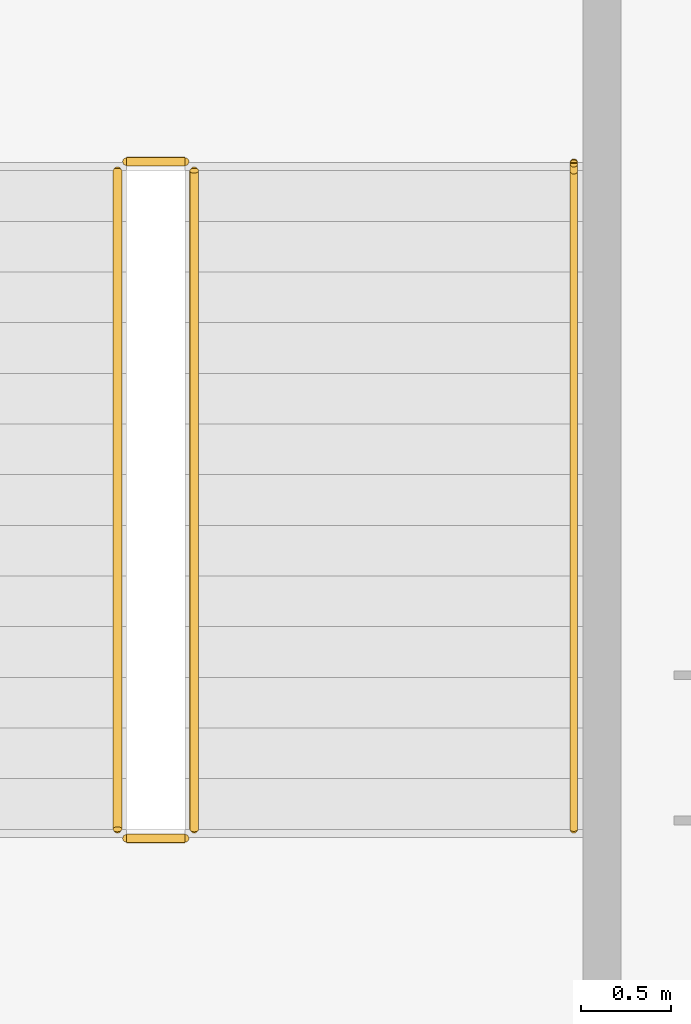
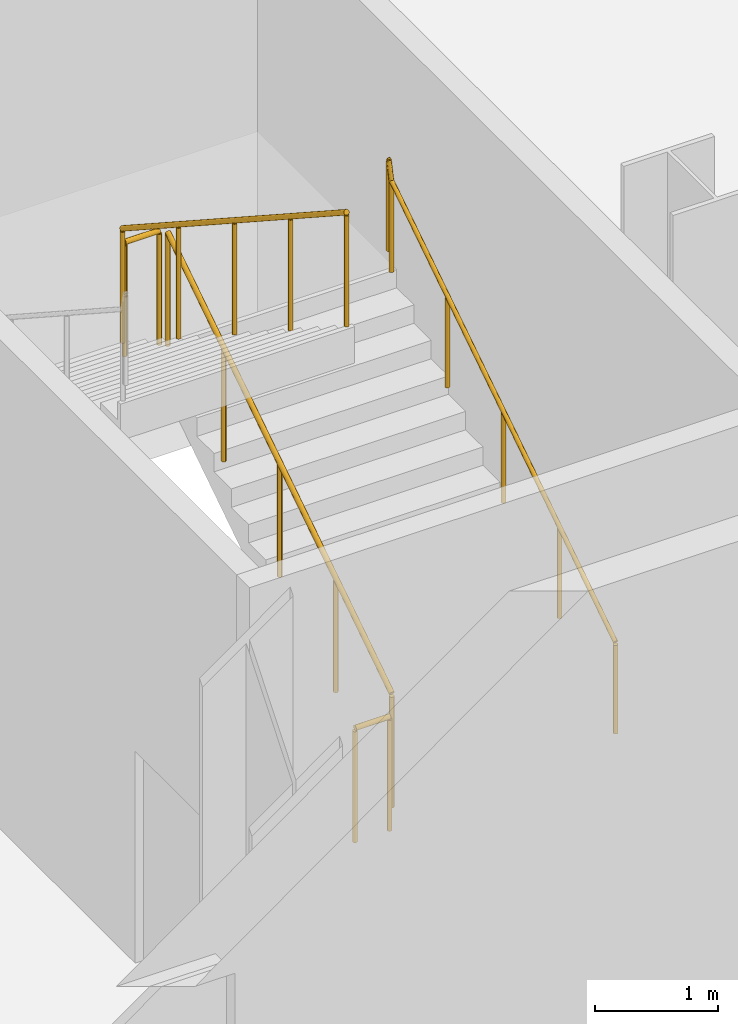
# One storey, part 19 of 21: 5 railings.
"""IFC4 building model written with IfcOpenShell, lengths in metres."""

from ifc_helpers import new_model, si_unit, direction, frame, origin, origin_2d, place, context, subcontext, project, spatial, circle, extrude, material, type_object, element, save


model = new_model("IFC4")

# Units and contexts
model_context = context("Model", 3, precision=1e-05, world=origin(), true_north=direction((0.0, 1.0)))
body_context = subcontext(model_context, "Body", "Model", "MODEL_VIEW")
ifc_project = project(units=[si_unit("LENGTHUNIT", "METRE"), si_unit("AREAUNIT", "SQUARE_METRE"), si_unit("VOLUMEUNIT", "CUBIC_METRE"), si_unit("PLANEANGLEUNIT", "RADIAN"), si_unit("MASSUNIT", "GRAM", prefix="KILO")], contexts=[model_context])

# Site, building, storey
site_placement = place(None, origin())
site = spatial("IfcSite", under=ifc_project, at=site_placement, CompositionType="ELEMENT")
building_placement = place(site_placement, origin())
building = spatial("IfcBuilding", under=site, at=building_placement, Name="Velakula Bourse", CompositionType="ELEMENT")
storey_placement = place(building_placement, origin())
storey = spatial("IfcBuildingStorey", under=building, at=storey_placement, Name="L00", CompositionType="ELEMENT", Elevation=0.0)

# Railings
ifc_material = material(Name="Brushed grade 316 stainless steel", Category="steel")
railing_type_1 = type_object("IfcRailingType", Name="RLG-STAIR-GUARD-1150", PredefinedType="BALUSTRADE", material=ifc_material)
railing_1_placement = place(storey_placement, frame((25.77197265625, -22.10009765625, 0.18212890625)))
element("IfcRailing", 1, at=railing_1_placement, inside=storey, type_object=railing_type_1, Name="L00 ST-P2 stair guard 1", PredefinedType="BALUSTRADE", context=body_context, shape_type="SweptSolid", body=[
    extrude(circle(Radius=0.02490234375, at=origin_2d()), frame((0.0, 0.0, 1.125), z_axis=(0.0, 0.83825089185, 0.545284735081), x_axis=(-1.0, 0.0, 0.0)), (0.0, 0.0, 1.0), 4.342529296875),
    extrude(circle(Radius=0.02099609375, at=origin_2d()), origin(), (0.0, 0.0, 1.0), 1.099853515625),
    extrude(circle(Radius=0.02099609375, at=origin_2d()), frame((0.0, 0.91015625, 0.592041015625)), (0.0, 0.0, 1.0), 1.099853515625),
    extrude(circle(Radius=0.02099609375, at=origin_2d()), frame((0.0, 1.820068359375, 1.18408203125)), (0.0, 0.0, 1.0), 1.099853515625),
    extrude(circle(Radius=0.02099609375, at=origin_2d()), frame((0.0, 2.72998046875, 1.77587890625)), (0.0, 0.0, 1.0), 1.099853515625),
    extrude(circle(Radius=0.02099609375, at=origin_2d()), frame((0.0, 3.64013671875, 2.367919921875)), (0.0, 0.0, 1.0), 1.099853515625),
])
railing_2_placement = place(storey_placement, frame((25.721923828125, -18.409912109375, 2.550048828125)))
element("IfcRailing", 2, at=railing_2_placement, inside=storey, type_object=railing_type_1, Name="L00 ST-P2 stair guard 2", PredefinedType="BALUSTRADE", context=body_context, shape_type="SweptSolid", body=[
    extrude(circle(Radius=0.02490234375, at=origin_2d()), frame((0.0, 0.0, 1.125), z_axis=(-1.0, 0.0, 0.0), x_axis=(0.0, -1.0, 0.0)), (0.0, 0.0, 1.0), 0.323974609375),
    extrude(circle(Radius=0.02099609375, at=origin_2d()), origin(), (0.0, 0.0, 1.0), 1.099853515625),
    extrude(circle(Radius=0.02099609375, at=origin_2d()), frame((-0.323974609375, 0.0, 0.0)), (0.0, 0.0, 1.0), 1.099853515625),
])
railing_3_placement = place(storey_placement, frame((25.347900390625, -18.4599609375, 2.732177734375)))
element("IfcRailing", 3, at=railing_3_placement, inside=storey, type_object=railing_type_1, Name="L00 ST-P2 stair guard 3", PredefinedType="BALUSTRADE", context=body_context, shape_type="SweptSolid", body=[
    extrude(circle(Radius=0.02490234375, at=origin_2d()), frame((0.0, 0.0, 1.125), z_axis=(0.0, -0.83825089185, 0.545284735081), x_axis=(1.0, 0.0, 0.0)), (0.0, 0.0, 1.0), 4.342529296875),
    extrude(circle(Radius=0.02099609375, at=origin_2d()), origin(), (0.0, 0.0, 1.0), 1.099853515625),
    extrude(circle(Radius=0.02099609375, at=origin_2d()), frame((0.0, -0.91015625, 0.592041015625)), (0.0, 0.0, 1.0), 1.099853515625),
    extrude(circle(Radius=0.02099609375, at=origin_2d()), frame((0.0, -1.820068359375, 1.18408203125)), (0.0, 0.0, 1.0), 1.099853515625),
    extrude(circle(Radius=0.02099609375, at=origin_2d()), frame((0.0, -2.72998046875, 1.77587890625)), (0.0, 0.0, 1.0), 1.099853515625),
    extrude(circle(Radius=0.02099609375, at=origin_2d()), frame((0.0, -3.64013671875, 2.367919921875)), (0.0, 0.0, 1.0), 1.099853515625),
])
railing_4_placement = place(storey_placement, frame((25.721923828125, -22.14990234375, 0.0)))
element("IfcRailing", 4, at=railing_4_placement, inside=storey, type_object=railing_type_1, Name="L00 ST-P2 stair guard 4", PredefinedType="BALUSTRADE", context=body_context, shape_type="SweptSolid", body=[
    extrude(circle(Radius=0.02490234375, at=origin_2d()), frame((0.0, 0.0, 1.125), z_axis=(-1.0, 0.0, 0.0), x_axis=(0.0, -1.0, 0.0)), (0.0, 0.0, 1.0), 0.323974609375),
    extrude(circle(Radius=0.02099609375, at=origin_2d()), origin(), (0.0, 0.0, 1.0), 1.099853515625),
    extrude(circle(Radius=0.02099609375, at=origin_2d()), frame((-0.323974609375, 0.0, 0.0)), (0.0, 0.0, 1.0), 1.099853515625),
])
railing_type_2 = type_object("IfcRailingType", Name="RLG-STAIR-HAND-920", PredefinedType="HANDRAIL", material=ifc_material)
railing_5_placement = place(storey_placement, frame((27.8701171875, -22.10009765625, 0.18212890625)))
element("IfcRailing", 5, at=railing_5_placement, inside=storey, type_object=railing_type_2, Name="L00 ST-P2 stair handrail 1", PredefinedType="HANDRAIL", context=body_context, shape_type="SweptSolid", body=[
    extrude(circle(Radius=0.02099609375, at=origin_2d()), frame((0.0, 0.0, 0.89892578125), z_axis=(0.0, 0.83825089185, 0.545284735081), x_axis=(-1.0, 0.0, 0.0)), (0.0, 0.0, 1.0), 4.342529296875),
    extrude(circle(Radius=0.02099609375, at=origin_2d()), frame((0.0, 3.64013671875, 3.266845703125), z_axis=(0.0, 0.214711926762, 0.976677422953), x_axis=(-1.0, 0.0, 0.0)), (0.0, 0.0, 1.0), 0.1865234375),
    extrude(circle(Radius=0.02099609375, at=origin_2d()), frame((0.0, 3.68017578125, 3.448974609375), z_axis=(0.0, 1.0, 0.0), x_axis=(-1.0, 0.0, 0.0)), (0.0, 0.0, 1.0), 0.0048828125),
    extrude(circle(Radius=0.02099609375, at=origin_2d()), origin(), (0.0, 0.0, 1.0), 0.8779296875),
    extrude(circle(Radius=0.02099609375, at=origin_2d()), frame((0.0, 0.91015625, 0.592041015625)), (0.0, 0.0, 1.0), 0.8779296875),
    extrude(circle(Radius=0.02099609375, at=origin_2d()), frame((0.0, 1.820068359375, 1.18408203125)), (0.0, 0.0, 1.0), 0.8779296875),
    extrude(circle(Radius=0.02099609375, at=origin_2d()), frame((0.0, 2.72998046875, 1.77587890625)), (0.0, 0.0, 1.0), 0.8779296875),
    extrude(circle(Radius=0.02099609375, at=origin_2d()), frame((0.0, 3.64013671875, 2.367919921875)), (0.0, 0.0, 1.0), 0.8779296875),
    extrude(circle(Radius=0.02099609375, at=origin_2d()), frame((0.0, 3.68017578125, 2.550048828125)), (0.0, 0.0, 1.0), 0.8779296875),
    extrude(circle(Radius=0.02099609375, at=origin_2d()), frame((0.0, 3.68505859375, 2.550048828125)), (0.0, 0.0, 1.0), 0.8779296875),
])

save(model, "model.ifc")
